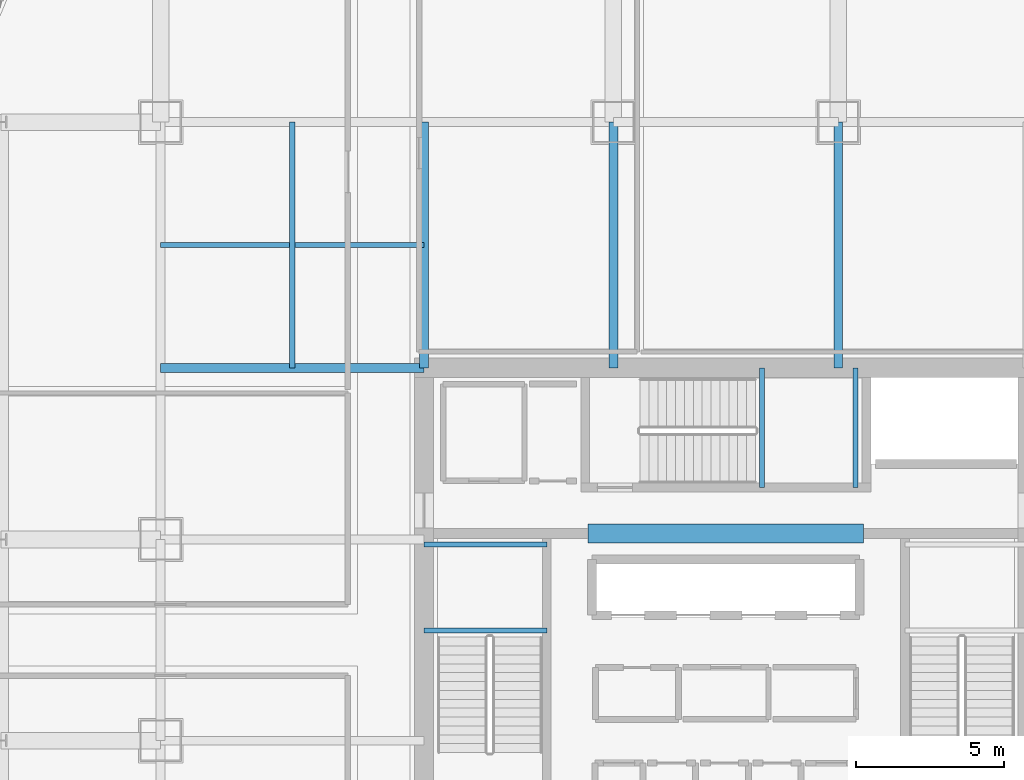
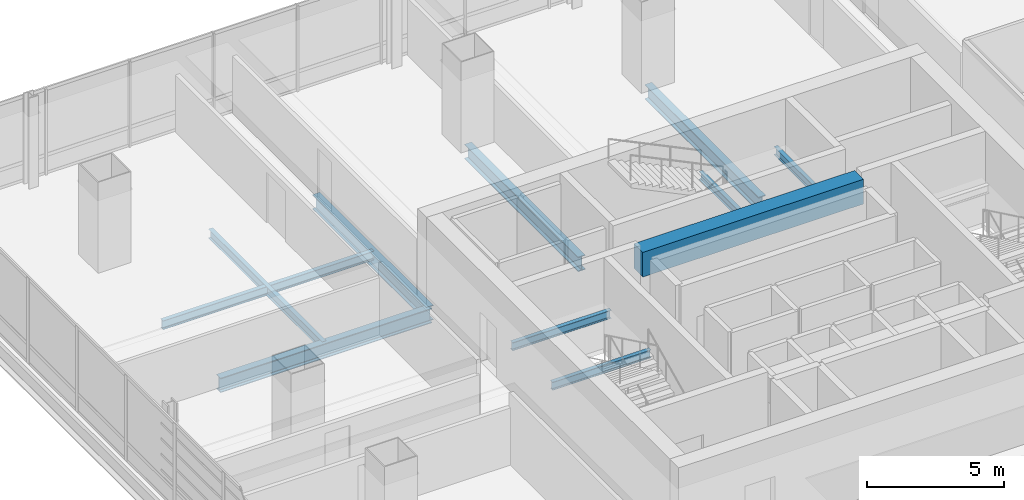
# One storey, part 13 of 38: 11 beams.
"""IFC4 building model written with IfcOpenShell, lengths in metres."""

from ifc_helpers import new_model, si_unit, direction, frame, origin, origin_2d, place, context, subcontext, project, spatial, rectangle, i_section, extrude, material, material_profile, profile_set, type_object, element, save


model = new_model("IFC4")

# Units and contexts
model_context = context("Model", 3, precision=1e-05, world=origin(), true_north=direction((0.0, 1.0)))
body_context = subcontext(model_context, "Body", "Model", "MODEL_VIEW")
ifc_project = project(units=[si_unit("LENGTHUNIT", "METRE"), si_unit("AREAUNIT", "SQUARE_METRE"), si_unit("VOLUMEUNIT", "CUBIC_METRE"), si_unit("PLANEANGLEUNIT", "RADIAN"), si_unit("MASSUNIT", "GRAM", prefix="KILO")], contexts=[model_context])

# Site, building, storey
site_placement = place(None, origin())
site = spatial("IfcSite", under=ifc_project, at=site_placement, CompositionType="ELEMENT")
building_placement = place(site_placement, origin())
building = spatial("IfcBuilding", under=site, at=building_placement, Name="Punatoya Terracotta Tower", CompositionType="ELEMENT")
storey_placement = place(building_placement, frame((0.0, 0.0, 143.85009765625)))
storey = spatial("IfcBuildingStorey", under=building, at=storey_placement, Name="L33", CompositionType="ELEMENT", Elevation=143.85009765625)

# Beams
ifc_material_1 = material(Name="Steel S355", Category="steel")
ifc_material_profile_1 = material_profile(ifc_material_1, i_section(OverallWidth=0.300048828125, OverallDepth=0.64990234375, WebThickness=0.01611328125, FlangeThickness=0.031005859375, FilletRadius=0.01806640625, at=origin_2d()))
ifc_profile_set_1 = profile_set([ifc_material_profile_1], Name="Steel S355")
beam_type_1 = type_object("IfcBeamType", Name="BM-PRI-650", PredefinedType="BEAM", material=ifc_profile_set_1)
beam_1_placement = place(storey_placement, frame((-19.10009765625, 9.199951171875, -0.545166015625), z_axis=(1.0, 0.0, 0.0), x_axis=(0.0, 1.0, 0.0)))
element("IfcBeam", 1, at=beam_1_placement, inside=storey, type_object=beam_type_1, Name="BM-L33-PR-WN", PredefinedType="BEAM", context=body_context, shape_type="SweptSolid", body=[
    extrude(i_section(OverallWidth=0.300048828125, OverallDepth=0.64990234375, WebThickness=0.01611328125, FlangeThickness=0.031005859375, FilletRadius=0.01806640625, at=origin_2d()), origin(), (0.0, 0.0, 1.0), 8.900146484375),
])
for number, where, z_axis, x_axis, name in (
    (2, (-10.199951171875, 9.199951171875, -0.545166015625), (0.0, 1.0, 0.0), (-1.0, 0.0, 0.0), "BM-L33-PR-N1"),
    (3, (-3.800048828125, 9.199951171875, -0.545166015625), (0.0, 1.0, 0.0), (-1.0, 0.0, 0.0), "BM-L33-PR-N2"),
    (4, (3.800048828125, 9.199951171875, -0.545166015625), (0.0, 1.0, 0.0), (-1.0, 0.0, 0.0), "BM-L33-PR-N3"),
):
    element("IfcBeam", number, at=place(storey_placement, frame(where, z_axis=z_axis, x_axis=x_axis)), inside=storey, type_object=beam_type_1, Name=name, PredefinedType="BEAM", context=body_context, shape_type="SweptSolid", body=[
        extrude(i_section(OverallWidth=0.300048828125, OverallDepth=0.64990234375, WebThickness=0.01611328125, FlangeThickness=0.031005859375, FilletRadius=0.01806640625, at=origin_2d()), origin(), (0.0, 0.0, 1.0), 8.300048828125),
    ])
ifc_material_2 = material(Name="Concrete C60/75", Category="concrete")
ifc_material_profile_2 = material_profile(ifc_material_2, rectangle(XDim=0.64990234375, YDim=1.10009765625, at=origin_2d()))
ifc_profile_set_2 = profile_set([ifc_material_profile_2], Name="Concrete C60/75")
beam_type_2 = type_object("IfcBeamType", Name="BM-RC-1100", PredefinedType="LINTEL", material=ifc_profile_set_2)
beam_2_placement = place(storey_placement, frame((-4.64990234375, 3.60009765625, 3.27978515625), z_axis=(1.0, 0.0, 0.0), x_axis=(0.0, 1.0, 0.0)))
element("IfcBeam", 5, at=beam_2_placement, inside=storey, type_object=beam_type_2, Name="L33 Core Coupling Lintel CNW", PredefinedType="LINTEL", context=body_context, shape_type="SweptSolid", body=[
    extrude(rectangle(XDim=0.64990234375, YDim=1.10009765625, at=origin_2d()), origin(), (0.0, 0.0, 1.0), 9.2998046875),
])
ifc_material_profile_3 = material_profile(ifc_material_1, i_section(OverallWidth=0.169921875, OverallDepth=0.360107421875, WebThickness=0.008056640625, FlangeThickness=0.0126953125, FilletRadius=0.01806640625, at=origin_2d()))
ifc_profile_set_3 = profile_set([ifc_material_profile_3], Name="Steel S355")
beam_type_3 = type_object("IfcBeamType", Name="BM-SEC-360", PredefinedType="JOIST", material=ifc_profile_set_3)
for number, where, z_axis, x_axis, name in (
    (6, (-10.199951171875, 0.320068359375, 1.64501953125), (1.0, 0.0, 0.0), (0.0, 1.0, 0.0), "BM-L33-ST-1-LD1A"),
    (7, (-10.199951171875, 3.22998046875, 1.64501953125), (1.0, 0.0, 0.0), (0.0, 1.0, 0.0), "BM-L33-ST-1-LD1B"),
):
    element("IfcBeam", number, at=place(storey_placement, frame(where, z_axis=z_axis, x_axis=x_axis)), inside=storey, type_object=beam_type_3, Name=name, PredefinedType="JOIST", context=body_context, shape_type="SweptSolid", body=[
        extrude(i_section(OverallWidth=0.169921875, OverallDepth=0.360107421875, WebThickness=0.008056640625, FlangeThickness=0.0126953125, FilletRadius=0.01806640625, at=origin_2d()), origin(), (0.0, 0.0, 1.0), 4.14990234375),
    ])
for number, where, z_axis, x_axis, name in (
    (8, (1.219970703125, 5.14990234375, 1.64501953125), (0.0, 1.0, 0.0), (-1.0, 0.0, 0.0), "BM-L33-ST-3-LD1A"),
    (9, (4.3798828125, 5.14990234375, 1.64501953125), (0.0, 1.0, 0.0), (-1.0, 0.0, 0.0), "BM-L33-ST-3-LD1B"),
):
    element("IfcBeam", number, at=place(storey_placement, frame(where, z_axis=z_axis, x_axis=x_axis)), inside=storey, type_object=beam_type_3, Name=name, PredefinedType="JOIST", context=body_context, shape_type="SweptSolid", body=[
        extrude(i_section(OverallWidth=0.169921875, OverallDepth=0.360107421875, WebThickness=0.008056640625, FlangeThickness=0.0126953125, FilletRadius=0.01806640625, at=origin_2d()), origin(), (0.0, 0.0, 1.0), 4.050048828125),
    ])
ifc_material_profile_4 = material_profile(ifc_material_1, i_section(OverallWidth=0.179931640625, OverallDepth=0.39990234375, WebThickness=0.008544921875, FlangeThickness=0.013427734375, FilletRadius=0.01806640625, at=origin_2d()))
ifc_profile_set_4 = profile_set([ifc_material_profile_4], Name="Steel S355")
beam_type_4 = type_object("IfcBeamType", Name="BM-SEC-400", PredefinedType="JOIST", material=ifc_profile_set_4)
beam_3_placement = place(storey_placement, frame((-19.10009765625, 13.35009765625, -0.420166015625), z_axis=(1.0, 0.0, 0.0), x_axis=(0.0, 1.0, 0.0)))
element("IfcBeam", 10, at=beam_3_placement, inside=storey, type_object=beam_type_4, Name="BM-L33-SJN-1", PredefinedType="JOIST", context=body_context, shape_type="SweptSolid", body=[
    extrude(i_section(OverallWidth=0.179931640625, OverallDepth=0.39990234375, WebThickness=0.008544921875, FlangeThickness=0.013427734375, FilletRadius=0.01806640625, at=origin_2d()), origin(), (0.0, 0.0, 1.0), 8.900146484375),
])
beam_4_placement = place(storey_placement, frame((-14.64990234375, 9.199951171875, -0.420166015625), z_axis=(0.0, 1.0, 0.0), x_axis=(-1.0, 0.0, 0.0)))
element("IfcBeam", 11, at=beam_4_placement, inside=storey, type_object=beam_type_4, Name="BM-L33-SJW-2", PredefinedType="JOIST", context=body_context, shape_type="SweptSolid", body=[
    extrude(i_section(OverallWidth=0.179931640625, OverallDepth=0.39990234375, WebThickness=0.008544921875, FlangeThickness=0.013427734375, FilletRadius=0.01806640625, at=origin_2d()), origin(), (0.0, 0.0, 1.0), 8.300048828125),
])

save(model, "model.ifc")
